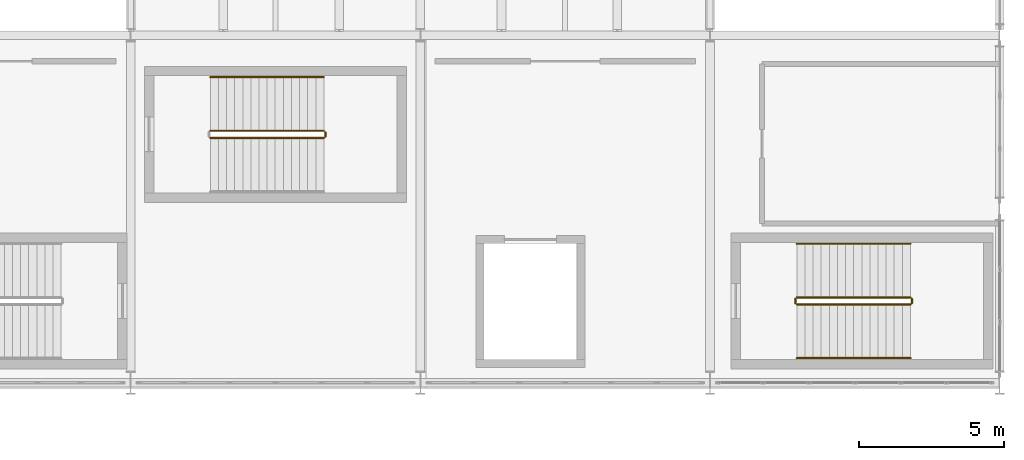
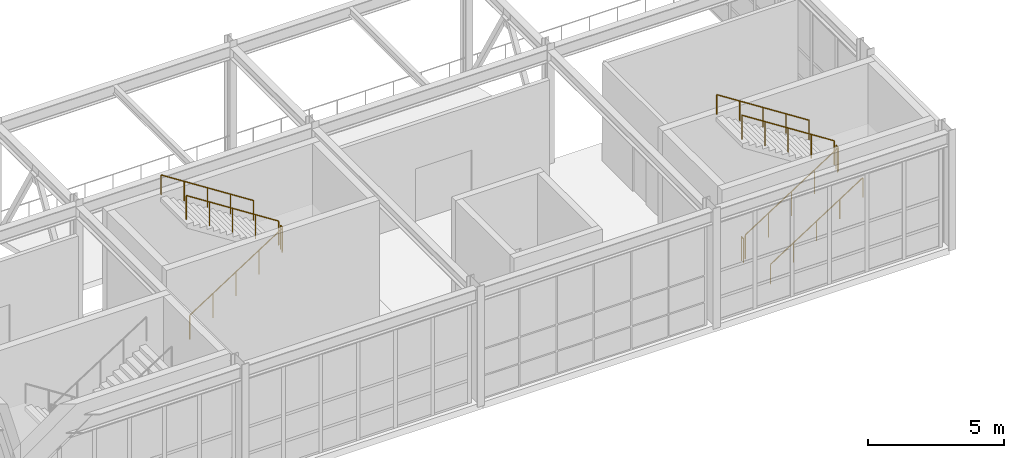
# One storey, part 208 of 210: 10 railings.
"""IFC4 building model written with IfcOpenShell, lengths in metres."""

from ifc_helpers import new_model, si_unit, direction, frame, origin, origin_2d, place, context, subcontext, project, spatial, circle, extrude, material, type_object, element, save


model = new_model("IFC4")

# Units and contexts
model_context = context("Model", 3, precision=1e-05, world=origin(), true_north=direction((0.0, 1.0)))
body_context = subcontext(model_context, "Body", "Model", "MODEL_VIEW")
ifc_project = project(units=[si_unit("LENGTHUNIT", "METRE"), si_unit("AREAUNIT", "SQUARE_METRE"), si_unit("VOLUMEUNIT", "CUBIC_METRE"), si_unit("PLANEANGLEUNIT", "RADIAN"), si_unit("MASSUNIT", "GRAM", prefix="KILO")], contexts=[model_context])

# Site, building, storey
site_placement = place(None, origin())
site = spatial("IfcSite", under=ifc_project, at=site_placement, CompositionType="ELEMENT")
building_placement = place(site_placement, origin())
building = spatial("IfcBuilding", under=site, at=building_placement, Name="Kaldris Quays Convention Centre", CompositionType="ELEMENT")
storey_placement = place(building_placement, frame((0.0, 0.0, 6.0)))
storey = spatial("IfcBuildingStorey", under=building, at=storey_placement, Name="L01", CompositionType="ELEMENT", Elevation=6.0)

# Railings
ifc_material_1 = material(Name="Steel S355J2", Category="steel")
railing_type_1 = type_object("IfcRailingType", Name="INTERIOR GUARDRAIL GR01", PredefinedType="GUARDRAIL", material=ifc_material_1)
railing_1_placement = place(storey_placement, frame((197.0, 58.699951171875, 0.179931640625)))
element("IfcRailing", 1, at=railing_1_placement, inside=storey, type_object=railing_type_1, Name="L01 ST09 Stair Guardrail 1", PredefinedType="GUARDRAIL", context=body_context, shape_type="SweptSolid", body=[
    extrude(circle(Radius=0.02392578125, at=origin_2d()), frame((0.0, 0.0, 1.076171875), z_axis=(0.841171666519, 0.0, 0.540768182723), x_axis=(0.0, 1.0, 0.0)), (0.0, 0.0, 1.0), 4.66015625),
    extrude(circle(Radius=0.02099609375, at=origin_2d()), origin(), (0.0, 0.0, 1.0), 1.052001953125),
    extrude(circle(Radius=0.02099609375, at=origin_2d()), frame((0.97998046875, 0.0, 0.6298828125)), (0.0, 0.0, 1.0), 1.052001953125),
    extrude(circle(Radius=0.02099609375, at=origin_2d()), frame((1.9599609375, 0.0, 1.260009765625)), (0.0, 0.0, 1.0), 1.052001953125),
    extrude(circle(Radius=0.02099609375, at=origin_2d()), frame((2.93994140625, 0.0, 1.89013671875)), (0.0, 0.0, 1.0), 1.052001953125),
    extrude(circle(Radius=0.02099609375, at=origin_2d()), frame((3.919921875, 0.0, 2.52001953125)), (0.0, 0.0, 1.0), 1.052001953125),
])
railing_2_placement = place(storey_placement, frame((200.969970703125, 58.75, 2.699951171875)))
element("IfcRailing", 2, at=railing_2_placement, inside=storey, type_object=railing_type_1, Name="L01 ST09 Stair Guardrail 2", PredefinedType="GUARDRAIL", context=body_context, shape_type="SweptSolid", body=[
    extrude(circle(Radius=0.02392578125, at=origin_2d()), frame((0.0, 0.0, 1.076171875), z_axis=(0.0, 1.0, 0.0), x_axis=(-1.0, 0.0, 0.0)), (0.0, 0.0, 1.0), 0.14990234375),
    extrude(circle(Radius=0.02099609375, at=origin_2d()), origin(), (0.0, 0.0, 1.0), 1.052001953125),
    extrude(circle(Radius=0.02099609375, at=origin_2d()), frame((0.0, 0.14990234375, 0.0)), (0.0, 0.0, 1.0), 1.052001953125),
])
railing_3_placement = place(storey_placement, frame((200.919921875, 58.949951171875, 2.8798828125)))
element("IfcRailing", 3, at=railing_3_placement, inside=storey, type_object=railing_type_1, Name="L01 ST09 Stair Guardrail 3", PredefinedType="GUARDRAIL", context=body_context, shape_type="SweptSolid", body=[
    extrude(circle(Radius=0.02392578125, at=origin_2d()), frame((0.0, 0.0, 1.076171875), z_axis=(-0.841171666519, 0.0, 0.540768182723), x_axis=(0.0, -1.0, 0.0)), (0.0, 0.0, 1.0), 4.66015625),
    extrude(circle(Radius=0.02099609375, at=origin_2d()), origin(), (0.0, 0.0, 1.0), 1.052001953125),
    extrude(circle(Radius=0.02099609375, at=origin_2d()), frame((-0.97998046875, 0.0, 0.6298828125)), (0.0, 0.0, 1.0), 1.052001953125),
    extrude(circle(Radius=0.02099609375, at=origin_2d()), frame((-1.9599609375, 0.0, 1.260009765625)), (0.0, 0.0, 1.0), 1.052001953125),
    extrude(circle(Radius=0.02099609375, at=origin_2d()), frame((-2.93994140625, 0.0, 1.89013671875)), (0.0, 0.0, 1.0), 1.052001953125),
    extrude(circle(Radius=0.02099609375, at=origin_2d()), frame((-3.919921875, 0.0, 2.52001953125)), (0.0, 0.0, 1.0), 1.052001953125),
])
railing_4_placement = place(storey_placement, frame((196.949951171875, 58.75, 0.0)))
element("IfcRailing", 4, at=railing_4_placement, inside=storey, type_object=railing_type_1, Name="L01 ST09 Stair Guardrail 4", PredefinedType="GUARDRAIL", context=body_context, shape_type="SweptSolid", body=[
    extrude(circle(Radius=0.02392578125, at=origin_2d()), frame((0.0, 0.0, 1.076171875), z_axis=(0.0, 1.0, 0.0), x_axis=(-1.0, 0.0, 0.0)), (0.0, 0.0, 1.0), 0.14990234375),
    extrude(circle(Radius=0.02099609375, at=origin_2d()), origin(), (0.0, 0.0, 1.0), 1.052001953125),
    extrude(circle(Radius=0.02099609375, at=origin_2d()), frame((0.0, 0.14990234375, 0.0)), (0.0, 0.0, 1.0), 1.052001953125),
])
railing_5_placement = place(storey_placement, frame((176.75, 64.449951171875, 0.179931640625)))
element("IfcRailing", 5, at=railing_5_placement, inside=storey, type_object=railing_type_1, Name="L01 ST10 Stair Guardrail 1", PredefinedType="GUARDRAIL", context=body_context, shape_type="SweptSolid", body=[
    extrude(circle(Radius=0.02392578125, at=origin_2d()), frame((0.0, 0.0, 1.076171875), z_axis=(0.841171666519, 0.0, 0.540768182723), x_axis=(0.0, 1.0, 0.0)), (0.0, 0.0, 1.0), 4.66015625),
    extrude(circle(Radius=0.02099609375, at=origin_2d()), origin(), (0.0, 0.0, 1.0), 1.052001953125),
    extrude(circle(Radius=0.02099609375, at=origin_2d()), frame((0.97998046875, 0.0, 0.6298828125)), (0.0, 0.0, 1.0), 1.052001953125),
    extrude(circle(Radius=0.02099609375, at=origin_2d()), frame((1.9599609375, 0.0, 1.260009765625)), (0.0, 0.0, 1.0), 1.052001953125),
    extrude(circle(Radius=0.02099609375, at=origin_2d()), frame((2.93994140625, 0.0, 1.89013671875)), (0.0, 0.0, 1.0), 1.052001953125),
    extrude(circle(Radius=0.02099609375, at=origin_2d()), frame((3.919921875, 0.0, 2.52001953125)), (0.0, 0.0, 1.0), 1.052001953125),
])
railing_6_placement = place(storey_placement, frame((180.719970703125, 64.5, 2.699951171875)))
element("IfcRailing", 6, at=railing_6_placement, inside=storey, type_object=railing_type_1, Name="L01 ST10 Stair Guardrail 2", PredefinedType="GUARDRAIL", context=body_context, shape_type="SweptSolid", body=[
    extrude(circle(Radius=0.02392578125, at=origin_2d()), frame((0.0, 0.0, 1.076171875), z_axis=(0.0, 1.0, 0.0), x_axis=(-1.0, 0.0, 0.0)), (0.0, 0.0, 1.0), 0.14990234375),
    extrude(circle(Radius=0.02099609375, at=origin_2d()), origin(), (0.0, 0.0, 1.0), 1.052001953125),
    extrude(circle(Radius=0.02099609375, at=origin_2d()), frame((0.0, 0.14990234375, 0.0)), (0.0, 0.0, 1.0), 1.052001953125),
])
railing_7_placement = place(storey_placement, frame((180.669921875, 64.699951171875, 2.8798828125)))
element("IfcRailing", 7, at=railing_7_placement, inside=storey, type_object=railing_type_1, Name="L01 ST10 Stair Guardrail 3", PredefinedType="GUARDRAIL", context=body_context, shape_type="SweptSolid", body=[
    extrude(circle(Radius=0.02392578125, at=origin_2d()), frame((0.0, 0.0, 1.076171875), z_axis=(-0.841171666519, 0.0, 0.540768182723), x_axis=(0.0, -1.0, 0.0)), (0.0, 0.0, 1.0), 4.66015625),
    extrude(circle(Radius=0.02099609375, at=origin_2d()), origin(), (0.0, 0.0, 1.0), 1.052001953125),
    extrude(circle(Radius=0.02099609375, at=origin_2d()), frame((-0.97998046875, 0.0, 0.6298828125)), (0.0, 0.0, 1.0), 1.052001953125),
    extrude(circle(Radius=0.02099609375, at=origin_2d()), frame((-1.9599609375, 0.0, 1.260009765625)), (0.0, 0.0, 1.0), 1.052001953125),
    extrude(circle(Radius=0.02099609375, at=origin_2d()), frame((-2.93994140625, 0.0, 1.89013671875)), (0.0, 0.0, 1.0), 1.052001953125),
    extrude(circle(Radius=0.02099609375, at=origin_2d()), frame((-3.919921875, 0.0, 2.52001953125)), (0.0, 0.0, 1.0), 1.052001953125),
])
ifc_material_2 = material(Name="Stainless steel 1.4301", Category="steel")
railing_type_2 = type_object("IfcRailingType", Name="STAIR HANDRAIL HR01", PredefinedType="HANDRAIL", material=ifc_material_2)
railing_8_placement = place(storey_placement, frame((197.0, 56.85009765625, 0.179931640625)))
element("IfcRailing", 8, at=railing_8_placement, inside=storey, type_object=railing_type_2, Name="L01 ST09 Flight Handrail 1", PredefinedType="HANDRAIL", context=body_context, shape_type="SweptSolid", body=[
    extrude(circle(Radius=0.02392578125, at=origin_2d()), frame((0.0, 0.0, 0.8759765625), z_axis=(0.841171666519, 0.0, 0.540768182723), x_axis=(0.0, 1.0, 0.0)), (0.0, 0.0, 1.0), 4.66015625),
    extrude(circle(Radius=0.02099609375, at=origin_2d()), origin(), (0.0, 0.0, 1.0), 0.851806640625),
    extrude(circle(Radius=0.02099609375, at=origin_2d()), frame((0.97998046875, 0.0, 0.6298828125)), (0.0, 0.0, 1.0), 0.851806640625),
    extrude(circle(Radius=0.02099609375, at=origin_2d()), frame((1.9599609375, 0.0, 1.260009765625)), (0.0, 0.0, 1.0), 0.851806640625),
    extrude(circle(Radius=0.02099609375, at=origin_2d()), frame((2.93994140625, 0.0, 1.89013671875)), (0.0, 0.0, 1.0), 0.851806640625),
    extrude(circle(Radius=0.02099609375, at=origin_2d()), frame((3.919921875, 0.0, 2.52001953125)), (0.0, 0.0, 1.0), 0.851806640625),
])
for number, where, name in (
    (9, (200.919921875, 60.800048828125, 2.8798828125), "L01 ST09 Flight Handrail 2"),
    (10, (180.669921875, 66.550048828125, 2.8798828125), "L01 ST10 Flight Handrail 2"),
):
    element("IfcRailing", number, at=place(storey_placement, frame(where)), inside=storey, type_object=railing_type_2, Name=name, PredefinedType="HANDRAIL", context=body_context, shape_type="SweptSolid", body=[
        extrude(circle(Radius=0.02392578125, at=origin_2d()), frame((0.0, 0.0, 0.8759765625), z_axis=(-0.841171666519, 0.0, 0.540768182723), x_axis=(0.0, -1.0, 0.0)), (0.0, 0.0, 1.0), 4.66015625),
        extrude(circle(Radius=0.02099609375, at=origin_2d()), origin(), (0.0, 0.0, 1.0), 0.851806640625),
        extrude(circle(Radius=0.02099609375, at=origin_2d()), frame((-0.97998046875, 0.0, 0.6298828125)), (0.0, 0.0, 1.0), 0.851806640625),
        extrude(circle(Radius=0.02099609375, at=origin_2d()), frame((-1.9599609375, 0.0, 1.260009765625)), (0.0, 0.0, 1.0), 0.851806640625),
        extrude(circle(Radius=0.02099609375, at=origin_2d()), frame((-2.93994140625, 0.0, 1.89013671875)), (0.0, 0.0, 1.0), 0.851806640625),
        extrude(circle(Radius=0.02099609375, at=origin_2d()), frame((-3.919921875, 0.0, 2.52001953125)), (0.0, 0.0, 1.0), 0.851806640625),
    ])

save(model, "model.ifc")
